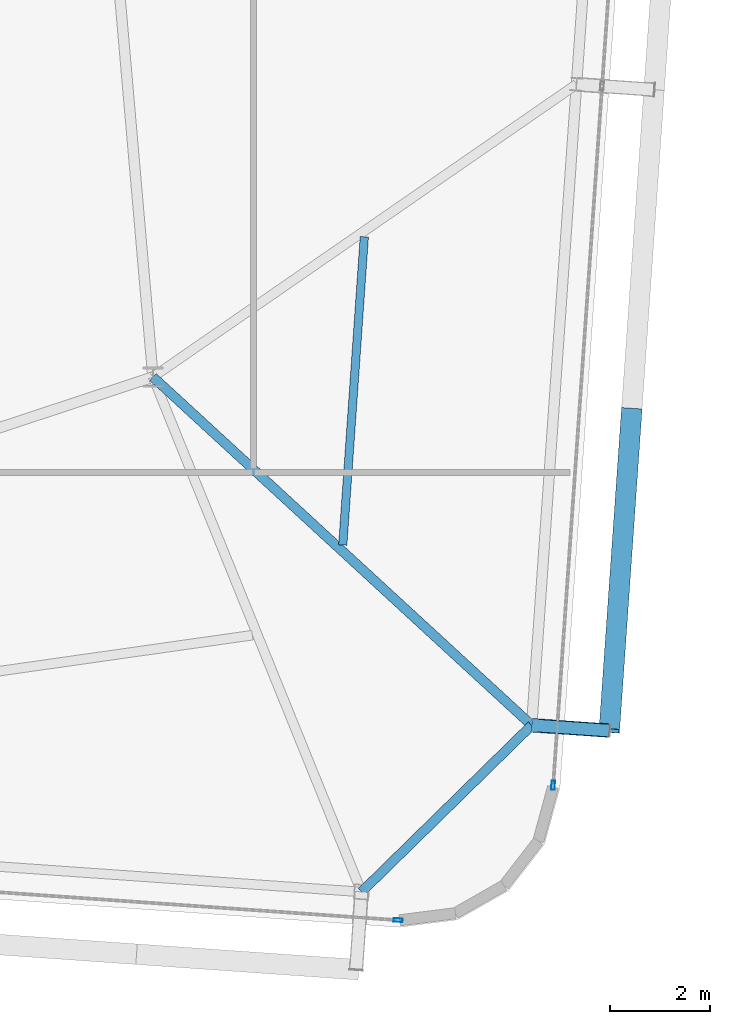
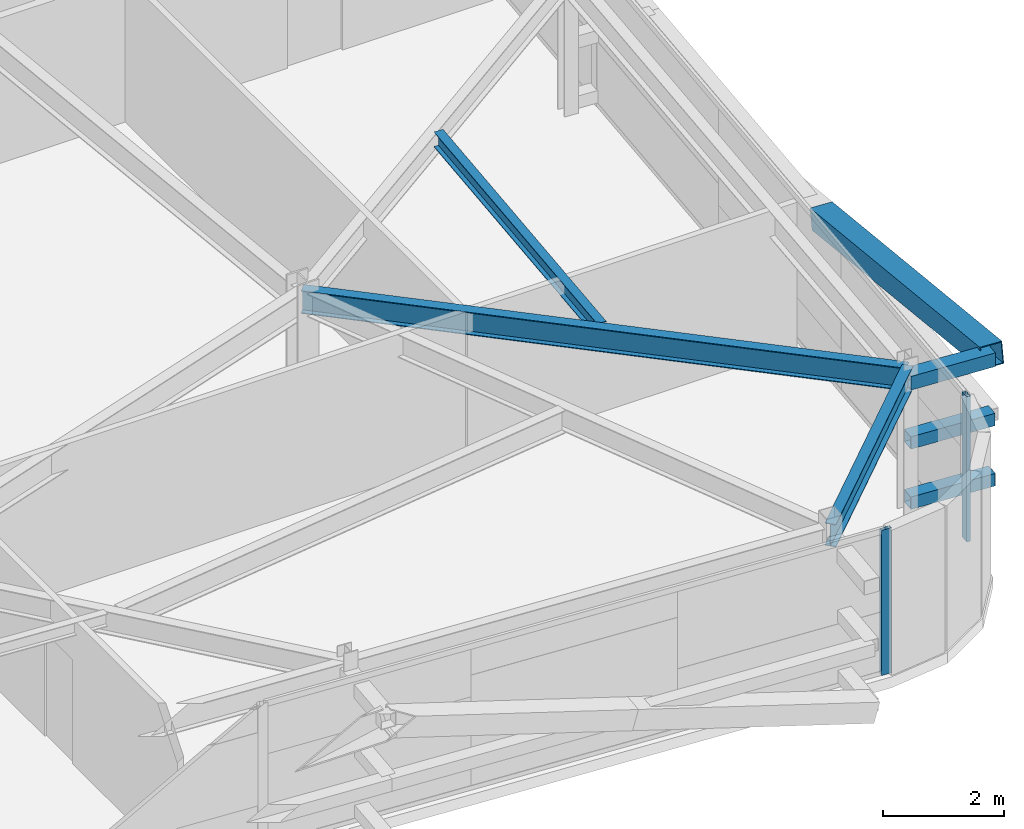
# One storey, part 15 of 39: 6 members, 3 beams, 2 elements without a shape of their own.
"""IFC4 building model written with IfcOpenShell, lengths in metres."""

import ifcopenshell
import ifcopenshell.guid

model = None  # the IFC model being written
_history = None  # IfcOwnerHistory: only IFC2X3 demands one
_inside = {}  # id of a spatial element -> (the spatial element, [elements in it])
_under = {}  # id of a project, library or spatial element -> (it, [spatial elements below it])
_declared = {}  # id of a project -> (the project, [libraries it declares])
_typed = {}  # id of a type object -> (the type object, [elements of that type])
_made_of = {}  # id of a material, layer set ... -> (it, [elements and type objects made of it])


def new_model(schema):
    """Start an empty IFC model of exactly this schema.

    Asked for "IFC4X3", IfcOpenShell would pick the latest addendum, in which some entities
    have other attributes; the version numbers below select the first issue.
    IFC2X3 requires an IfcOwnerHistory on every rooted entity: one is made here for all.
    """
    global model, _history
    if schema == "IFC4X3":
        model = ifcopenshell.file(schema_version=(4, 3, 0, 0))
    else:
        model = ifcopenshell.file(schema=schema)
    _inside.clear()
    _under.clear()
    _declared.clear()
    _typed.clear()
    _made_of.clear()
    _history = None
    if model.schema == "IFC2X3":
        org = make("IfcOrganization", Name="unknown")
        user = make(
            "IfcPersonAndOrganization",
            ThePerson=make("IfcPerson", FamilyName="unknown"),
            TheOrganization=org,
        )
        app = make(
            "IfcApplication",
            ApplicationDeveloper=org,
            Version="unknown",
            ApplicationFullName="unknown",
            ApplicationIdentifier="unknown",
        )
        _history = make(
            "IfcOwnerHistory",
            OwningUser=user,
            OwningApplication=app,
            ChangeAction="ADDED",
            CreationDate=0,
        )
    return model


def make(cls, **values):
    """One entity of the class cls with the attributes given. An attribute that is None is left unset."""
    return model.create_entity(
        cls, **{name: value for name, value in values.items() if value is not None}
    )


def rooted(cls, **values):
    """An entity with a GlobalId (a new one), such as an element, a storey or a relation."""
    return make(cls, GlobalId=ifcopenshell.guid.new(), OwnerHistory=_history, **values)


def si_unit(unit_type, name, prefix=None):
    """IfcSIUnit, for example si_unit("LENGTHUNIT", "METRE", prefix="MILLI")."""
    return make("IfcSIUnit", UnitType=unit_type, Prefix=prefix, Name=name)


def assignment(units):
    """IfcUnitAssignment: the units of a project."""
    return None if units is None else make("IfcUnitAssignment", Units=units)


def point(xyz):
    """IfcCartesianPoint."""
    return None if xyz is None else make("IfcCartesianPoint", Coordinates=xyz)


def direction(xyz):
    """IfcDirection."""
    return None if xyz is None else make("IfcDirection", DirectionRatios=xyz)


def frame(location, z_axis=None, x_axis=None):
    """IfcAxis2Placement3D, a coordinate frame: its origin and axes. An axis left out is left unset."""
    return make(
        "IfcAxis2Placement3D",
        Location=point(location),
        Axis=direction(z_axis),
        RefDirection=direction(x_axis),
    )


def frame_2d(location, x_axis=None):
    """IfcAxis2Placement2D, a coordinate frame in the plane: its origin and x axis."""
    return make(
        "IfcAxis2Placement2D", Location=point(location), RefDirection=direction(x_axis)
    )


def origin():
    """The frame at (0, 0, 0) with its axes left unset."""
    return frame((0.0, 0.0, 0.0))


def origin_2d():
    """The frame at (0, 0) in the plane with its x axis left unset."""
    return frame_2d((0.0, 0.0))


def place(relative_to, where):
    """IfcLocalPlacement: puts the frame where relative to a parent placement (None: the world)."""
    return make(
        "IfcLocalPlacement", PlacementRelTo=relative_to, RelativePlacement=where
    )


def context(
    kind, dimensions, precision=None, world=None, true_north=None, identifier=None
):
    """IfcGeometricRepresentationContext, for example the 3D "Model" context."""
    return make(
        "IfcGeometricRepresentationContext",
        ContextIdentifier=identifier,
        ContextType=kind,
        CoordinateSpaceDimension=dimensions,
        Precision=precision,
        WorldCoordinateSystem=world,
        TrueNorth=true_north,
    )


def subcontext(parent, identifier, kind, view, scale=None):
    """IfcGeometricRepresentationSubContext, for example "Body" below "Model"."""
    return make(
        "IfcGeometricRepresentationSubContext",
        ContextIdentifier=identifier,
        ContextType=kind,
        ParentContext=parent,
        TargetScale=scale,
        TargetView=view,
    )


def project(units=None, contexts=None):
    """IfcProject with its units and contexts."""
    return rooted(
        "IfcProject",
        Name="project",
        RepresentationContexts=contexts,
        UnitsInContext=assignment(units),
    )


def spatial(cls, under=None, at=None, **own):
    """A site, building, storey or space (cls), placed at a placement, below another one or the project."""
    s = rooted(cls, ObjectPlacement=at, **own)
    if under is not None:
        _under.setdefault(under.id(), (under, []))[1].append(s)
    return s


def profile(cls, at=None, kind="AREA", **sizes):
    """A parametric profile (cls). Its sizes go by their IFC names, for example OverallWidth=200.0."""
    return make(cls, ProfileType=kind, Position=at, **sizes)


def hollow_rectangle(**sizes):
    """IfcRectangleHollowProfileDef."""
    return profile("IfcRectangleHollowProfileDef", **sizes)


def i_section(**sizes):
    """IfcIShapeProfileDef."""
    return profile("IfcIShapeProfileDef", **sizes)


def extrude(swept, where, along, depth):
    """IfcExtrudedAreaSolid: the profile swept, set in the frame where, extruded along a direction by depth."""
    return make(
        "IfcExtrudedAreaSolid",
        SweptArea=swept,
        Position=where,
        ExtrudedDirection=direction(along),
        Depth=depth,
    )


def shape(context_of_items, identifier, shape_type, items):
    """IfcShapeRepresentation: the items that make up one representation, for example the "Body"."""
    return make(
        "IfcShapeRepresentation",
        ContextOfItems=context_of_items,
        RepresentationIdentifier=identifier,
        RepresentationType=shape_type,
        Items=items,
    )


def source(mapping_origin, context_of_items, identifier, shape_type, items):
    """IfcRepresentationMap: a shape defined once, which mapped items show again and again."""
    return make(
        "IfcRepresentationMap",
        MappingOrigin=mapping_origin,
        MappedRepresentation=shape(context_of_items, identifier, shape_type, items),
    )


def transform(
    local_origin,
    x_axis=None,
    y_axis=None,
    z_axis=None,
    scale=None,
    scale2=None,
    scale3=None,
    uniform=True,
):
    """IfcCartesianTransformationOperator3D, or its non-uniform kind. x_axis, y_axis, z_axis: its Axis1, 2, 3."""
    if uniform:
        return make(
            "IfcCartesianTransformationOperator3D",
            Axis1=direction(x_axis),
            Axis2=direction(y_axis),
            LocalOrigin=point(local_origin),
            Scale=scale,
            Axis3=direction(z_axis),
        )
    return make(
        "IfcCartesianTransformationOperator3DnonUniform",
        Axis1=direction(x_axis),
        Axis2=direction(y_axis),
        LocalOrigin=point(local_origin),
        Scale=scale,
        Axis3=direction(z_axis),
        Scale2=scale2,
        Scale3=scale3,
    )


def mapped(mapping_source, mapping_target):
    """IfcMappedItem: shows the shape of a source again, moved by a transform."""
    return make(
        "IfcMappedItem", MappingSource=mapping_source, MappingTarget=mapping_target
    )


def material(Name=None, Category=None):
    """IfcMaterial."""
    return make("IfcMaterial", Name=Name, Category=Category)


def layer(
    of_material, thickness, ventilated=None, Name=None, Category=None, Priority=None
):
    """IfcMaterialLayer: one layer of a wall or slab, of a material (None: an air gap)."""
    return make(
        "IfcMaterialLayer",
        Material=of_material,
        LayerThickness=thickness,
        IsVentilated=ventilated,
        Name=Name,
        Category=Category,
        Priority=Priority,
    )


def layer_set(layers, Name=None):
    """IfcMaterialLayerSet."""
    return make("IfcMaterialLayerSet", MaterialLayers=layers, LayerSetName=Name)


def material_profile(
    of_material, cross_section, Name=None, Category=None, Priority=None
):
    """IfcMaterialProfile: a cross section and its material."""
    return make(
        "IfcMaterialProfile",
        Name=Name,
        Material=of_material,
        Profile=cross_section,
        Priority=Priority,
        Category=Category,
    )


def profile_set(profiles, Name=None, composite=None):
    """IfcMaterialProfileSet."""
    return make(
        "IfcMaterialProfileSet",
        Name=Name,
        MaterialProfiles=profiles,
        CompositeProfile=composite,
    )


def made_of(thing, what):
    """Note that an element or type object is made of a material, layer set ...; save() writes the relation."""
    if what is not None:
        _made_of.setdefault(what.id(), (what, []))[1].append(thing)
    return thing


def type_object(cls, material=None, **own):
    """A type object (cls), such as IfcWallType, which elements share."""
    return made_of(rooted(cls, **own), material)


def element(
    cls,
    number,
    at=None,
    inside=None,
    cuts=None,
    type_object=None,
    material=None,
    context=None,
    identifier="Body",
    shape_type=None,
    held_by="IfcProductDefinitionShape",
    body=None,
    shapes=None,
    **own,
):
    """One element of the class cls, such as IfcWall. Its Tag is "e" and its number.

    at: its placement. inside: the storey or other place that contains it. cuts: it is an
    opening in that element (IfcRelVoidsElement). A single representation is given by context,
    identifier, shape_type and body (its items); several are given by shapes. held_by: the class
    of the entity that holds the representations. save() writes the other relations.
    """
    e = rooted(cls, Tag="e%d" % number, ObjectPlacement=at, **own)
    if body is not None:
        shapes = [shape(context, identifier, shape_type, body)]
    if shapes is not None:
        e.Representation = make(held_by, Representations=shapes)
    if inside is not None:
        _inside.setdefault(inside.id(), (inside, []))[1].append(e)
    if cuts is not None:
        rooted(
            "IfcRelVoidsElement", RelatingBuildingElement=cuts, RelatedOpeningElement=e
        )
    if type_object is not None:
        _typed.setdefault(type_object.id(), (type_object, []))[1].append(e)
    return made_of(e, material)


def aggregate(whole, parts):
    """IfcRelAggregates: a whole, such as a stair, and the parts it consists of."""
    return rooted("IfcRelAggregates", RelatingObject=whole, RelatedObjects=parts)


def save(model, path):
    """Write the relations noted so far, then the file.

    IfcRelAggregates (storeys below a building ...), IfcRelContainedInSpatialStructure (elements
    in a storey), IfcRelDefinesByType, IfcRelAssociatesMaterial and IfcRelDeclares: one each for
    every whole, place, type object, material and project.
    """
    for whole, parts in _under.values():
        aggregate(whole, parts)
    for where, things in _inside.values():
        rooted(
            "IfcRelContainedInSpatialStructure",
            RelatedElements=things,
            RelatingStructure=where,
        )
    for kind, things in _typed.values():
        rooted("IfcRelDefinesByType", RelatedObjects=things, RelatingType=kind)
    for what, things in _made_of.values():
        rooted("IfcRelAssociatesMaterial", RelatedObjects=things, RelatingMaterial=what)
    for by, libraries in _declared.values():
        rooted("IfcRelDeclares", RelatingContext=by, RelatedDefinitions=libraries)
    model.write(path)


model = new_model("IFC4")

# Units and contexts
model_context = context("Model", 3, precision=1e-05, world=origin(), true_north=direction((0.0, 1.0)))
body_context = subcontext(model_context, "Body", "Model", "MODEL_VIEW")
ifc_project = project(units=[si_unit("LENGTHUNIT", "METRE"), si_unit("AREAUNIT", "SQUARE_METRE"), si_unit("VOLUMEUNIT", "CUBIC_METRE"), si_unit("PLANEANGLEUNIT", "RADIAN"), si_unit("MASSUNIT", "GRAM", prefix="KILO")], contexts=[model_context])

# Site, building, storey
site_placement = place(None, origin())
site = spatial("IfcSite", under=ifc_project, at=site_placement, CompositionType="ELEMENT")
building_placement = place(site_placement, origin())
building = spatial("IfcBuilding", under=site, at=building_placement, Name="Taldren Reach Tower", CompositionType="ELEMENT")
storey_placement = place(building_placement, frame((0.0, 0.0, 129.85009765625)))
storey = spatial("IfcBuildingStorey", under=building, at=storey_placement, Name="L39", CompositionType="ELEMENT", Elevation=129.85009765625)

# Members
ifc_material_1 = material(Name="Steel Gr 450 (C450L0)", Category="steel")
ifc_material_profile_1 = material_profile(ifc_material_1, hollow_rectangle(XDim=0.27490234375, YDim=0.27490234375, WallThickness=0.00927734375, at=origin_2d()), Name="275x275x9.3SHS")
ifc_profile_set_1 = profile_set([ifc_material_profile_1], Name="Steel Gr 450 (C450L0)")
member_type_1 = type_object("IfcMemberType", Name="MB-TIE273", PredefinedType="STRUT", material=ifc_profile_set_1)
shared_shape_1 = source(origin(), body_context, "Body", "SweptSolid", [
    extrude(hollow_rectangle(XDim=0.27490234375, YDim=0.27490234375, WallThickness=0.00927734375, at=origin_2d()), origin(), (0.0, 0.0, 1.0), 1.5498046875),
])
member_1_placement = place(storey_placement, frame((59.54541015625, 5.562744140625, 2.64990234375), z_axis=(0.997573320145, -0.069623781384, 0.0), x_axis=(0.069623781384, 0.997573320145, 0.0)))
element("IfcMember", 1, at=member_1_placement, inside=storey, type_object=member_type_1, Name="Exoskeleton diaphragm tie strut B3-E1 L39", PredefinedType="STRUT", context=body_context, shape_type="MappedRepresentation", body=[
    mapped(shared_shape_1, transform((0.0, 0.0, 0.0), scale=1.0)),
])
ifc_material_2 = material(Name="Steel Gr 350 (C350L0)", Category="steel")
ifc_material_profile_2 = material_profile(ifc_material_2, hollow_rectangle(XDim=0.25, YDim=0.25, WallThickness=0.010009765625, at=origin_2d()), Name="250x250x10.0SHS")
ifc_profile_set_2 = profile_set([ifc_material_profile_2], Name="Steel Gr 350 (C350L0)")
member_type_2 = type_object("IfcMemberType", Name="MB-POST250", PredefinedType="POST", material=ifc_profile_set_2)
shared_shape_2 = source(origin(), body_context, "Body", "SweptSolid", [
    extrude(hollow_rectangle(XDim=0.25, YDim=0.25, WallThickness=0.010009765625, at=origin_2d()), origin(), (0.0, 0.0, 1.0), 1.5498046875),
])
for number, where, z_axis, x_axis, name in (
    (2, (59.54541015625, 5.562744140625, 0.219970703125), (0.997573320145, -0.069623781384, 0.0), (0.069623781384, 0.997573320145, 0.0), "Exoskeleton base diaphragm tie strut B3-E1 L39"),
    (3, (59.54541015625, 5.562744140625, 1.434814453125), (0.997573320145, -0.069623781384, 0.0), (0.069623781384, 0.997573320145, 0.0), "Exoskeleton mid-tier diaphragm tie B3-E1 L39"),
):
    element("IfcMember", number, at=place(storey_placement, frame(where, z_axis=z_axis, x_axis=x_axis)), inside=storey, type_object=member_type_2, Name=name, PredefinedType="POST", context=body_context, shape_type="MappedRepresentation", body=[
        mapped(shared_shape_2, transform((0.0, 0.0, 0.0), scale=1.0)),
    ])

# Beams
ifc_material_3 = material(Name="Steel Gr 350 (350PLUS)", Category="steel")
ifc_material_profile_3 = material_profile(ifc_material_3, i_section(OverallWidth=0.18994140625, OverallDepth=0.4541015625, WebThickness=0.008544921875, FlangeThickness=0.0126953125, at=origin_2d()), Name="460UB67.1")
ifc_profile_set_3 = profile_set([ifc_material_profile_3], Name="Steel Gr 350 (350PLUS)")
beam_type_1 = type_object("IfcBeamType", Name="SP-UB460B", PredefinedType="SPANDREL", material=ifc_profile_set_3)
shared_shape_3 = source(origin(), body_context, "Body", "SweptSolid", [
    extrude(i_section(OverallWidth=0.18994140625, OverallDepth=0.4541015625, WebThickness=0.008544921875, FlangeThickness=0.0126953125, at=origin_2d()), origin(), (0.0, 0.0, 1.0), 4.745849609375),
])
beam_1_placement = place(storey_placement, frame((56.155517578125, 2.2412109375, 2.702880859375), z_axis=(0.714271982806, 0.699868226581, 0.0), x_axis=(-0.699868226581, 0.714271982806, 0.0)))
element("IfcBeam", 4, at=beam_1_placement, inside=storey, type_object=beam_type_1, Name="Perimeter spandrel B3 S6-E1 L39", PredefinedType="SPANDREL", context=body_context, shape_type="MappedRepresentation", body=[
    mapped(shared_shape_3, transform((0.0, 0.0, 0.0), scale=1.0)),
])
ifc_material_profile_4 = material_profile(ifc_material_3, i_section(OverallWidth=0.19091796875, OverallDepth=0.4599609375, WebThickness=0.010009765625, FlangeThickness=0.01611328125, at=origin_2d()), Name="460UB82.1")
ifc_profile_set_4 = profile_set([ifc_material_profile_4], Name="Steel Gr 350 (350PLUS)")
beam_type_2 = type_object("IfcBeamType", Name="BM-UB460A", PredefinedType="BEAM", material=ifc_profile_set_4)
shared_shape_4 = source(origin(), body_context, "Body", "SweptSolid", [
    extrude(i_section(OverallWidth=0.19091796875, OverallDepth=0.4599609375, WebThickness=0.010009765625, FlangeThickness=0.01611328125, at=origin_2d()), origin(), (0.0, 0.0, 1.0), 10.249755859375),
])
beam_2_placement = place(storey_placement, frame((52.0, 12.5, 2.699951171875), z_axis=(0.736150772628, -0.676817582483, 0.0), x_axis=(0.676817582483, 0.736150772628, 0.0)))
element("IfcBeam", 5, at=beam_2_placement, inside=storey, type_object=beam_type_2, Name="Primary floor girder B3-E1 L39", PredefinedType="BEAM", context=body_context, shape_type="MappedRepresentation", body=[
    mapped(shared_shape_4, transform((0.0, 0.0, 0.0), scale=1.0)),
])
ifc_material_4 = material(Name="Steel Gr 300 (300PLUS, 300 MPa)", Category="steel")
ifc_material_profile_5 = material_profile(ifc_material_4, i_section(OverallWidth=0.166015625, OverallDepth=0.306884765625, WebThickness=0.006591796875, FlangeThickness=0.01171875, at=origin_2d()), Name="310UB46.2")
ifc_profile_set_5 = profile_set([ifc_material_profile_5], Name="Steel Gr 300 (300PLUS, 300 MPa)")
beam_type_3 = type_object("IfcBeamType", Name="JS-UB310", PredefinedType="JOIST", material=ifc_profile_set_5)
shared_shape_5 = source(origin(), body_context, "Body", "SweptSolid", [
    extrude(i_section(OverallWidth=0.166015625, OverallDepth=0.306884765625, WebThickness=0.006591796875, FlangeThickness=0.01171875, at=origin_2d()), origin(), (0.0, 0.0, 1.0), 6.155517578125),
])
beam_3_placement = place(storey_placement, frame((55.78125, 9.1533203125, 2.7763671875), z_axis=(0.069764400024, 0.997563495969, 0.0), x_axis=(-0.997563495969, 0.069764400024, 0.0)))
element("IfcBeam", 6, at=beam_3_placement, inside=storey, type_object=beam_type_3, Name="Secondary floor joist B3 J7 L39", PredefinedType="JOIST", context=body_context, shape_type="MappedRepresentation", body=[
    mapped(shared_shape_5, transform((0.0, 0.0, 0.0), scale=1.0)),
])

# Member
ifc_material_profile_6 = material_profile(ifc_material_1, hollow_rectangle(XDim=0.409912109375, YDim=0.409912109375, WallThickness=0.01611328125, at=origin_2d()), Name="410x410x16.0SHS")
ifc_profile_set_6 = profile_set([ifc_material_profile_6], Name="Steel Gr 450 (C450L0)")
member_type_3 = type_object("IfcMemberType", Name="MB-EXO406", PredefinedType="BRACE", material=ifc_profile_set_6)
shared_shape_6 = source(origin(), body_context, "Body", "SweptSolid", [
    extrude(hollow_rectangle(XDim=0.409912109375, YDim=0.409912109375, WallThickness=0.01611328125, at=origin_2d()), origin(), (0.0, 0.0, 1.0), 6.51416015625),
])
member_2_placement = place(storey_placement, frame((61.5380859375, 11.839111328125, 1.434814453125), z_axis=(-0.068547644544, -0.980055169399, 0.186529046964), x_axis=(0.997562951496, -0.069772185021, 0.0)))
element("IfcMember", 7, at=member_2_placement, inside=storey, type_object=member_type_3, Name="Exoskeleton Diagrid Brace B3-E1 L39", PredefinedType="BRACE", context=body_context, shape_type="MappedRepresentation", body=[
    mapped(shared_shape_6, transform((0.0, 0.0, 0.0), scale=1.0)),
])

# Curtain wall, member
ifc_material_5 = material(Name="Aluminium and Low-E Glass Unitised System", Category="aluminium")
ifc_layer = layer(ifc_material_5, 0.159912109375)
ifc_layer_set = layer_set([ifc_layer], Name="Aluminium and Low-E Glass Unitised System")
curtain_wall_type = type_object("IfcCurtainWallType", Name="CW-SYS-4", PredefinedType="NOTDEFINED", material=ifc_layer_set)
curtain_wall_1_placement = place(storey_placement, origin())
curtain_wall_1 = element("IfcCurtainWall", 8, at=curtain_wall_1_placement, inside=storey, type_object=curtain_wall_type, Name="Unitised curtain wall CW-L39-S", PredefinedType="NOTDEFINED")
ifc_material_6 = material(Name="Anodised Aluminium 6063-T6", Category="aluminium")
ifc_material_profile_7 = material_profile(ifc_material_6, hollow_rectangle(XDim=0.070068359375, YDim=0.179931640625, WallThickness=0.00390625, at=origin_2d()), Name="ALU-180x70x4RHS")
ifc_profile_set_7 = profile_set([ifc_material_profile_7], Name="Anodised Aluminium 6063-T6")
member_type_4 = type_object("IfcMemberType", Name="CW-MUL-180", PredefinedType="MULLION", material=ifc_profile_set_7)
shared_shape_7 = source(origin(), body_context, "Body", "SweptSolid", [
    extrude(hollow_rectangle(XDim=0.070068359375, YDim=0.179931640625, WallThickness=0.00390625, at=origin_2d()), origin(), (0.0, 0.0, 1.0), 2.929931640625),
])
member_3_placement = place(storey_placement, frame((56.883056640625, 1.67919921875, 0.0), z_axis=(0.0, 0.0, 1.0), x_axis=(0.06975651593, 0.99756404731, 0.0)))
member_3 = element("IfcMember", 9, at=member_3_placement, type_object=member_type_4, Name="CW-4 mullion 5", PredefinedType="MULLION", context=body_context, shape_type="MappedRepresentation", body=[
    mapped(shared_shape_7, transform((0.0, 0.0, 0.0), scale=1.0)),
])
aggregate(curtain_wall_1, [member_3])

curtain_wall_2_placement = place(storey_placement, origin())
curtain_wall_2 = element("IfcCurtainWall", 10, at=curtain_wall_2_placement, inside=storey, type_object=curtain_wall_type, Name="Unitised curtain wall CW-L39-E", PredefinedType="NOTDEFINED")
member_4_placement = place(storey_placement, frame((59.972900390625, 4.365234375, 0.0), z_axis=(0.0, 0.0, 1.0), x_axis=(-0.997564052812, 0.069756437251, 0.0)))
member_4 = element("IfcMember", 11, at=member_4_placement, type_object=member_type_4, Name="CW-4 mullion 1", PredefinedType="MULLION", context=body_context, shape_type="MappedRepresentation", body=[
    mapped(shared_shape_7, transform((0.0, 0.0, 0.0), scale=1.0)),
])
aggregate(curtain_wall_2, [member_4])

save(model, "model.ifc")
